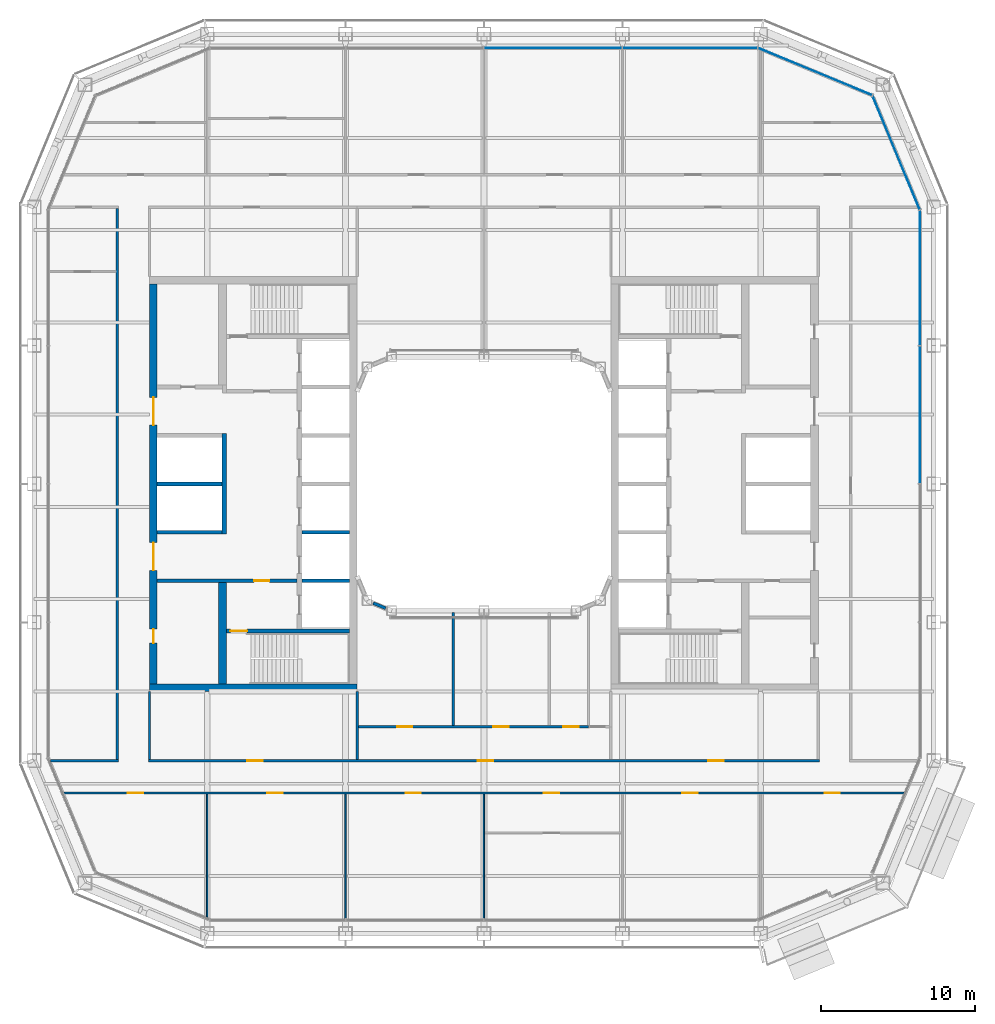
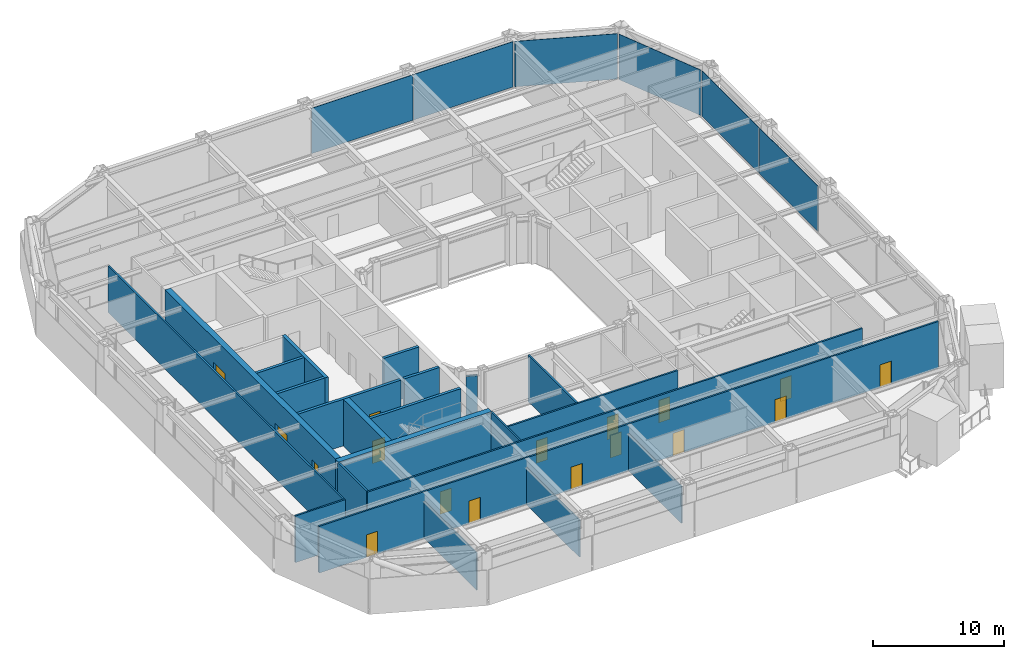
# One storey, part 11 of 23: 22 walls, 17 doors, 6 plates, 17 openings, 4 elements without a shape of their own.
"""IFC4 building model written with IfcOpenShell, lengths in metres."""

from ifc_helpers import new_model, si_unit, direction, frame, frame_2d, origin, origin_2d, place, context, subcontext, project, spatial, rectangle, extrude, material, layer, layer_set, type_object, element, fill, aggregate, save


model = new_model("IFC4")

# Units and contexts
model_context = context("Model", 3, precision=1e-05, world=origin(), true_north=direction((0.0, 1.0)))
body_context = subcontext(model_context, "Body", "Model", "MODEL_VIEW")
ifc_project = project(units=[si_unit("LENGTHUNIT", "METRE"), si_unit("AREAUNIT", "SQUARE_METRE"), si_unit("VOLUMEUNIT", "CUBIC_METRE"), si_unit("PLANEANGLEUNIT", "RADIAN"), si_unit("MASSUNIT", "GRAM", prefix="KILO")], contexts=[model_context])

# Site, building, storey
site_placement = place(None, origin())
site = spatial("IfcSite", under=ifc_project, at=site_placement, CompositionType="ELEMENT")
building_placement = place(site_placement, origin())
building = spatial("IfcBuilding", under=site, at=building_placement, Name="Siwar Civic Tower", CompositionType="ELEMENT")
storey_placement = place(building_placement, frame((0.0, 0.0, 163.199951171875)))
storey = spatial("IfcBuildingStorey", under=building, at=storey_placement, Name="L35", CompositionType="ELEMENT", Elevation=163.199951171875)

# Curtain wall, plates
ifc_material_1 = material(Name="Aluminium and glass", Category="aluminium")
ifc_layer_1 = layer(ifc_material_1, 0.199951171875)
ifc_layer_set_1 = layer_set([ifc_layer_1], Name="Aluminium and glass")
curtain_wall_type_1 = type_object("IfcCurtainWallType", Name="ENV-CW-B", PredefinedType="NOTDEFINED", material=ifc_layer_set_1)
curtain_wall_1_placement = place(storey_placement, origin())
curtain_wall_1 = element("IfcCurtainWall", 1, at=curtain_wall_1_placement, inside=storey, type_object=curtain_wall_type_1, Name="Curtain wall B E", PredefinedType="NOTDEFINED")
ifc_material_2 = material(Name="Glass clear laminated", Category="glass")
ifc_layer_2 = layer(ifc_material_2, 0.033935546875)
ifc_layer_set_2 = layer_set([ifc_layer_2], Name="Glass clear laminated")
plate_type_1 = type_object("IfcPlateType", Name="ENV-PANEL-B", PredefinedType="CURTAIN_PANEL", material=ifc_layer_set_2)
plate_1_placement = place(storey_placement, frame((28.35009765625, 4.5, 0.10986328125), z_axis=(0.0, 0.0, 1.0), x_axis=(0.0, 1.0, 0.0)))
plate_1 = element("IfcPlate", 2, at=plate_1_placement, type_object=plate_type_1, Name="Curtain panel B E 3", PredefinedType="CURTAIN_PANEL", context=body_context, shape_type="SweptSolid", body=[
    extrude(rectangle(XDim=8.93505859375, YDim=0.033935546875, at=origin_2d()), origin(), (0.0, 0.0, 1.0), 4.239990234375),
])
plate_2_placement = place(storey_placement, frame((28.35009765625, 13.369873046875, 0.10986328125), z_axis=(0.0, 0.0, 1.0), x_axis=(0.0, 1.0, 0.0)))
plate_2 = element("IfcPlate", 3, at=plate_2_placement, type_object=plate_type_1, Name="Curtain panel B E 4", PredefinedType="CURTAIN_PANEL", context=body_context, shape_type="SweptSolid", body=[
    extrude(rectangle(XDim=8.6748046875, YDim=0.033935546875, at=origin_2d()), origin(), (0.0, 0.0, 1.0), 4.239990234375),
])
aggregate(curtain_wall_1, [plate_1, plate_2])

curtain_wall_2_placement = place(storey_placement, origin())
curtain_wall_2 = element("IfcCurtainWall", 4, at=curtain_wall_2_placement, inside=storey, type_object=curtain_wall_type_1, Name="Curtain wall B N", PredefinedType="NOTDEFINED")
plate_3_placement = place(storey_placement, frame((13.410400390625, 28.35009765625, 0.10986328125), z_axis=(0.0, 0.0, 1.0), x_axis=(-1.0, 0.0, 0.0)))
plate_3 = element("IfcPlate", 5, at=plate_3_placement, type_object=plate_type_1, Name="Curtain panel B N 1", PredefinedType="CURTAIN_PANEL", context=body_context, shape_type="SweptSolid", body=[
    extrude(rectangle(XDim=8.755859375, YDim=0.033935546875, at=origin_2d()), origin(), (0.0, 0.0, 1.0), 4.239990234375),
])
plate_4_placement = place(storey_placement, frame((4.5, 28.35009765625, 0.10986328125), z_axis=(0.0, 0.0, 1.0), x_axis=(-1.0, 0.0, 0.0)))
plate_4 = element("IfcPlate", 6, at=plate_4_placement, type_object=plate_type_1, Name="Curtain panel B N 2", PredefinedType="CURTAIN_PANEL", context=body_context, shape_type="SweptSolid", body=[
    extrude(rectangle(XDim=8.93505859375, YDim=0.033935546875, at=origin_2d()), origin(), (0.0, 0.0, 1.0), 4.239990234375),
])
aggregate(curtain_wall_2, [plate_3, plate_4])

# Curtain wall, plate
ifc_material_3 = material(Name="Aluminium clad insulated panel", Category="aluminium")
ifc_layer_3 = layer(ifc_material_3, 0.199951171875)
ifc_layer_set_3 = layer_set([ifc_layer_3], Name="Aluminium clad insulated panel")
curtain_wall_type_2 = type_object("IfcCurtainWallType", Name="ENV-CW-BX", PredefinedType="NOTDEFINED", material=ifc_layer_set_3)
curtain_wall_3_placement = place(storey_placement, origin())
curtain_wall_3 = element("IfcCurtainWall", 7, at=curtain_wall_3_placement, inside=storey, type_object=curtain_wall_type_2, Name="Curtain wall B NE1", PredefinedType="NOTDEFINED")
ifc_material_4 = material(Name="Aluminium clad insulated panel", Category="aluminium")
ifc_layer_4 = layer(ifc_material_4, 0.033935546875)
ifc_layer_set_4 = layer_set([ifc_layer_4], Name="Aluminium clad insulated panel")
plate_type_2 = type_object("IfcPlateType", Name="ENV-PANEL-BX", PredefinedType="CURTAIN_PANEL", material=ifc_layer_set_4)
plate_5_placement = place(storey_placement, frame((26.823486328125, 21.506103515625, 0.10986328125), z_axis=(0.0, 0.0, 1.0), x_axis=(-0.382683432365, 0.923879532511, 0.0)))
plate_5 = element("IfcPlate", 8, at=plate_5_placement, type_object=plate_type_2, Name="Curtain panel B NE1 1", PredefinedType="CURTAIN_PANEL", context=body_context, shape_type="SweptSolid", body=[
    extrude(rectangle(XDim=7.912353515625, YDim=0.033935546875, at=origin_2d()), origin(), (0.0, 0.0, 1.0), 4.239990234375),
])
aggregate(curtain_wall_3, [plate_5])

curtain_wall_4_placement = place(storey_placement, origin())
curtain_wall_4 = element("IfcCurtainWall", 9, at=curtain_wall_4_placement, inside=storey, type_object=curtain_wall_type_2, Name="Curtain wall B NE2", PredefinedType="NOTDEFINED")
plate_6_placement = place(storey_placement, frame((21.5810546875, 26.79248046875, 0.10986328125), z_axis=(0.0, 0.0, 1.0), x_axis=(-0.923879532511, 0.382683432365, 0.0)))
plate_6 = element("IfcPlate", 10, at=plate_6_placement, type_object=plate_type_2, Name="Curtain panel B NE2 1", PredefinedType="CURTAIN_PANEL", context=body_context, shape_type="SweptSolid", body=[
    extrude(rectangle(XDim=7.912353515625, YDim=0.033935546875, at=origin_2d()), origin(), (0.0, 0.0, 1.0), 4.239990234375),
])
aggregate(curtain_wall_4, [plate_6])

# Wall, opening, door
ifc_material_5 = material(Name="Concrete C60/75", Category="concrete")
ifc_layer_5 = layer(ifc_material_5, 0.25)
ifc_layer_set_5 = layer_set([ifc_layer_5], Name="Concrete C60/75")
wall_type_1 = type_object("IfcWallType", Name="CORE-WALL-RC250", PredefinedType="SHEAR", material=ifc_layer_set_5)
wall_1_placement = place(storey_placement, frame((-12.14990234375, -6.300048828125, 0.0), z_axis=(0.0, 0.0, 1.0), x_axis=(-1.0, 0.0, 0.0)))
wall_1 = element("IfcWall", 11, at=wall_1_placement, inside=storey, type_object=wall_type_1, Name="Core wall W", PredefinedType="SHEAR", context=body_context, shape_type="SweptSolid", body=[
    extrude(rectangle(XDim=9.10009765625, YDim=0.25, at=frame_2d((4.550048828125, 0.0))), origin(), (0.0, 0.0, 1.0), 4.35009765625),
])
opening_1_placement = place(wall_1_placement, frame((1.800048828125, 0.0, 0.0)))
opening_1 = element("IfcOpeningElement", 12, at=opening_1_placement, cuts=wall_1, Name="Opening L35-CW02", PredefinedType="OPENING", context=body_context, shape_type="SweptSolid", body=[
    extrude(rectangle(XDim=1.0, YDim=2.10009765625, at=frame_2d((0.5, 1.050048828125))), frame((0.0, 0.135009765625, 0.0), z_axis=(0.0, -1.0, 0.0), x_axis=(1.0, 0.0, 0.0)), (0.0, 0.0, 1.0), 0.27001953125),
])
ifc_material_6 = material(Name="Steel door leaf", Category="steel")
door_type_1 = type_object("IfcDoorType", Name="CORE-DOOR-FD30S", OperationType="SINGLE_SWING_LEFT", PredefinedType="DOOR", material=ifc_material_6)
door_1_placement = place(opening_1_placement, origin())
door_1 = element("IfcDoor", 13, at=door_1_placement, inside=storey, type_object=door_type_1, Name="Service lobby door L35-CW02", OperationType="SINGLE_SWING_RIGHT", OverallHeight=2.10009765625, OverallWidth=1.0, PredefinedType="DOOR", context=body_context, shape_type="SweptSolid", body=[
    extrude(rectangle(XDim=1.0, YDim=2.10009765625, at=frame_2d((0.5, 1.050048828125))), frame((0.0, 0.02490234375, 0.0), z_axis=(0.0, -1.0, 0.0), x_axis=(1.0, 0.0, 0.0)), (0.0, 0.0, 1.0), 0.050048828125),
])
fill(opening_1, door_1)

# Walls
for number, where, z_axis, x_axis, name in (
    (14, (-17.050048828125, 0.0, 0.0), (0.0, 0.0, 1.0), (-1.0, 0.0, 0.0), "Core wall W"),
    (15, (-17.050048828125, -3.14990234375, 0.0), (0.0, 0.0, 1.0), (-1.0, 0.0, 0.0), "Core wall W"),
):
    element("IfcWall", number, at=place(storey_placement, frame(where, z_axis=z_axis, x_axis=x_axis)), inside=storey, type_object=wall_type_1, Name=name, PredefinedType="SHEAR", context=body_context, shape_type="SweptSolid", body=[
        extrude(rectangle(XDim=4.199951171875, YDim=0.25, at=frame_2d((2.10009765625, 0.0))), origin(), (0.0, 0.0, 1.0), 4.35009765625),
    ])
for number, where, z_axis, x_axis, name in (
    (16, (-8.75, -3.14990234375, 0.0), (0.0, 0.0, 1.0), (-1.0, 0.0, 0.0), "Core wall W"),
    (17, (-8.75, -6.300048828125, 0.0), (0.0, 0.0, 1.0), (-1.0, 0.0, 0.0), "Core wall W"),
):
    element("IfcWall", number, at=place(storey_placement, frame(where, z_axis=z_axis, x_axis=x_axis)), inside=storey, type_object=wall_type_1, Name=name, PredefinedType="SHEAR", context=body_context, shape_type="SweptSolid", body=[
        extrude(rectangle(XDim=3.10009765625, YDim=0.25, at=frame_2d((1.550048828125, 0.0))), origin(), (0.0, 0.0, 1.0), 4.35009765625),
    ])

# Wall, opening, door
wall_2_placement = place(storey_placement, frame((-8.75, -9.574951171875, 0.0), z_axis=(0.0, 0.0, 1.0), x_axis=(-1.0, 0.0, 0.0)))
wall_2 = element("IfcWall", 18, at=wall_2_placement, inside=storey, type_object=wall_type_1, Name="Core wall W", PredefinedType="SHEAR", context=body_context, shape_type="SweptSolid", body=[
    extrude(rectangle(XDim=8.0, YDim=0.25, at=frame_2d((4.0, 0.0))), origin(), (0.0, 0.0, 1.0), 4.35009765625),
])
opening_2_placement = place(wall_2_placement, frame((6.64990234375, 0.0, 0.0)))
opening_2 = element("IfcOpeningElement", 19, at=opening_2_placement, cuts=wall_2, Name="Opening L35-CW04", PredefinedType="OPENING", context=body_context, shape_type="SweptSolid", body=[
    extrude(rectangle(XDim=1.10009765625, YDim=2.10009765625, at=frame_2d((0.550048828125, 1.050048828125))), frame((0.0, 0.135009765625, 0.0), z_axis=(0.0, -1.0, 0.0), x_axis=(1.0, 0.0, 0.0)), (0.0, 0.0, 1.0), 0.27001953125),
])
ifc_material_7 = material(Name="Steel door leaf", Category="steel")
door_type_2 = type_object("IfcDoorType", Name="CORE-DOOR-FD60S", OperationType="SINGLE_SWING_LEFT", PredefinedType="DOOR", material=ifc_material_7)
door_2_placement = place(opening_2_placement, origin())
door_2 = element("IfcDoor", 20, at=door_2_placement, inside=storey, type_object=door_type_2, Name="Stair door L35-CW04", OperationType="SINGLE_SWING_LEFT", OverallHeight=2.10009765625, OverallWidth=1.10009765625, PredefinedType="DOOR", context=body_context, shape_type="SweptSolid", body=[
    extrude(rectangle(XDim=1.10009765625, YDim=2.10009765625, at=frame_2d((0.550048828125, 1.050048828125))), frame((0.0, 0.02490234375, 0.0), z_axis=(0.0, -1.0, 0.0), x_axis=(1.0, 0.0, 0.0)), (0.0, 0.0, 1.0), 0.050048828125),
])
fill(opening_2, door_2)

# Wall
ifc_material_8 = material(Name="Concrete C60/75", Category="concrete")
ifc_layer_6 = layer(ifc_material_8, 0.300048828125)
ifc_layer_set_6 = layer_set([ifc_layer_6], Name="Concrete C60/75")
wall_type_2 = type_object("IfcWallType", Name="CORE-WALL-RC300", PredefinedType="SHEAR", material=ifc_layer_set_6)
wall_3_placement = place(storey_placement, frame((-16.89990234375, -3.27490234375, 0.0), z_axis=(0.0, 0.0, 1.0), x_axis=(0.0, 1.0, 0.0)))
element("IfcWall", 21, at=wall_3_placement, inside=storey, type_object=wall_type_2, Name="Core wall W", PredefinedType="SHEAR", context=body_context, shape_type="SweptSolid", body=[
    extrude(rectangle(XDim=6.5498046875, YDim=0.300048828125, at=frame_2d((3.27490234375, 0.0))), origin(), (0.0, 0.0, 1.0), 4.35009765625),
])

# Wall, openings, doors
ifc_material_9 = material(Name="Concrete C60/75", Category="concrete")
ifc_layer_7 = layer(ifc_material_9, 0.5)
ifc_layer_set_7 = layer_set([ifc_layer_7], Name="Concrete C60/75")
wall_type_3 = type_object("IfcWallType", Name="CORE-WALL-RC500", PredefinedType="SHEAR", material=ifc_layer_set_7)
wall_4_placement = place(storey_placement, frame((-21.5, -13.0, 0.0), z_axis=(0.0, 0.0, 1.0), x_axis=(0.0, 1.0, 0.0)))
wall_4 = element("IfcWall", 22, at=wall_4_placement, inside=storey, type_object=wall_type_3, Name="Core wall W", PredefinedType="SHEAR", context=body_context, shape_type="SweptSolid", body=[
    extrude(rectangle(XDim=26.0, YDim=0.5, at=frame_2d((13.0, 0.0))), origin(), (0.0, 0.0, 1.0), 4.35009765625),
])
opening_3_placement = place(wall_4_placement, frame((16.824951171875, 0.0, 0.0)))
opening_3 = element("IfcOpeningElement", 23, at=opening_3_placement, cuts=wall_4, Name="Opening L35-CW05", PredefinedType="OPENING", context=body_context, shape_type="SweptSolid", body=[
    extrude(rectangle(XDim=1.800048828125, YDim=2.10009765625, at=frame_2d((0.89990234375, 1.050048828125))), frame((0.0, 0.260009765625, 0.0), z_axis=(0.0, -1.0, 0.0), x_axis=(1.0, 0.0, 0.0)), (0.0, 0.0, 1.0), 0.52001953125),
])
opening_4_placement = place(wall_4_placement, frame((7.375, 0.0, 0.0)))
opening_4 = element("IfcOpeningElement", 24, at=opening_4_placement, cuts=wall_4, Name="Opening L35-CW06", PredefinedType="OPENING", context=body_context, shape_type="SweptSolid", body=[
    extrude(rectangle(XDim=1.800048828125, YDim=2.10009765625, at=frame_2d((0.89990234375, 1.050048828125))), frame((0.0, 0.260009765625, 0.0), z_axis=(0.0, -1.0, 0.0), x_axis=(1.0, 0.0, 0.0)), (0.0, 0.0, 1.0), 0.52001953125),
])
opening_5_placement = place(wall_4_placement, frame((2.64990234375, 0.0, 0.0)))
opening_5 = element("IfcOpeningElement", 25, at=opening_5_placement, cuts=wall_4, Name="Opening L35-CW14", PredefinedType="OPENING", context=body_context, shape_type="SweptSolid", body=[
    extrude(rectangle(XDim=0.89990234375, YDim=2.10009765625, at=frame_2d((0.449951171875, 1.050048828125))), frame((0.0, 0.260009765625, 0.0), z_axis=(0.0, -1.0, 0.0), x_axis=(1.0, 0.0, 0.0)), (0.0, 0.0, 1.0), 0.52001953125),
])
ifc_material_10 = material(Name="Steel door leaf", Category="steel")
door_type_3 = type_object("IfcDoorType", Name="CORE-DOOR-PORT", OperationType="DOUBLE_DOOR_DOUBLE_SWING", PredefinedType="DOOR", material=ifc_material_10)
door_3_placement = place(opening_3_placement, origin())
door_3 = element("IfcDoor", 26, at=door_3_placement, inside=storey, type_object=door_type_3, Name="Core entrance door L35-CW05", OperationType="DOUBLE_DOOR_DOUBLE_SWING", OverallHeight=2.10009765625, OverallWidth=1.800048828125, PredefinedType="DOOR", context=body_context, shape_type="SweptSolid", body=[
    extrude(rectangle(XDim=1.800048828125, YDim=2.10009765625, at=frame_2d((0.89990234375, 1.050048828125))), frame((0.0, 0.02490234375, 0.0), z_axis=(0.0, -1.0, 0.0), x_axis=(1.0, 0.0, 0.0)), (0.0, 0.0, 1.0), 0.050048828125),
])
fill(opening_3, door_3)
door_4_placement = place(opening_4_placement, origin())
door_4 = element("IfcDoor", 27, at=door_4_placement, inside=storey, type_object=door_type_3, Name="Core entrance door L35-CW06", OperationType="DOUBLE_DOOR_DOUBLE_SWING", OverallHeight=2.10009765625, OverallWidth=1.800048828125, PredefinedType="DOOR", context=body_context, shape_type="SweptSolid", body=[
    extrude(rectangle(XDim=1.800048828125, YDim=2.10009765625, at=frame_2d((0.89990234375, 1.050048828125))), frame((0.0, 0.02490234375, 0.0), z_axis=(0.0, -1.0, 0.0), x_axis=(1.0, 0.0, 0.0)), (0.0, 0.0, 1.0), 0.050048828125),
])
fill(opening_4, door_4)
ifc_material_11 = material(Name="Steel door leaf", Category="steel")
door_type_4 = type_object("IfcDoorType", Name="CORE-DOOR-ROOM", OperationType="SINGLE_SWING_LEFT", PredefinedType="DOOR", material=ifc_material_11)
door_5_placement = place(opening_5_placement, origin())
door_5 = element("IfcDoor", 28, at=door_5_placement, inside=storey, type_object=door_type_4, Name="Core room door L35-CW14", OperationType="SINGLE_SWING_LEFT", OverallHeight=2.10009765625, OverallWidth=0.89990234375, PredefinedType="DOOR", context=body_context, shape_type="SweptSolid", body=[
    extrude(rectangle(XDim=0.89990234375, YDim=2.10009765625, at=frame_2d((0.449951171875, 1.050048828125))), frame((0.0, 0.02490234375, 0.0), z_axis=(0.0, -1.0, 0.0), x_axis=(1.0, 0.0, 0.0)), (0.0, 0.0, 1.0), 0.050048828125),
])
fill(opening_5, door_5)

# Walls
wall_5_placement = place(storey_placement, frame((-17.0, -13.0, 0.0), z_axis=(0.0, 0.0, 1.0), x_axis=(0.0, 1.0, 0.0)))
element("IfcWall", 29, at=wall_5_placement, inside=storey, type_object=wall_type_3, Name="Core wall W", PredefinedType="SHEAR", context=body_context, shape_type="SweptSolid", body=[
    extrude(rectangle(XDim=6.574951171875, YDim=0.5, at=frame_2d((3.28759765625, 0.0))), origin(), (0.0, 0.0, 1.0), 4.35009765625),
])
wall_6_placement = place(storey_placement, frame((-8.25, -13.25, 0.0), z_axis=(0.0, 0.0, 1.0), x_axis=(-1.0, 0.0, 0.0)))
element("IfcWall", 30, at=wall_6_placement, inside=storey, type_object=wall_type_3, Name="Core wall W", PredefinedType="SHEAR", context=body_context, shape_type="SweptSolid", body=[
    extrude(rectangle(XDim=13.5, YDim=0.5, at=frame_2d((6.75, 0.0))), origin(), (0.0, 0.0, 1.0), 4.35009765625),
])

# Wall, openings, doors
ifc_material_12 = material(Name="Gypsum board on steel studs", Category="steel")
ifc_layer_8 = layer(ifc_material_12, 0.14990234375)
ifc_layer_set_8 = layer_set([ifc_layer_8], Name="Gypsum board on steel studs")
wall_type_4 = type_object("IfcWallType", Name="CORRIDOR PARTITION 150 EI 30", PredefinedType="PARTITIONING", material=ifc_layer_set_8)
wall_7_placement = place(storey_placement, frame((-27.30810546875, -20.10009765625, 0.0), z_axis=(0.0, 0.0, 1.0), x_axis=(1.0, 0.0, 0.0)))
wall_7 = element("IfcWall", 31, at=wall_7_placement, inside=storey, type_object=wall_type_4, Name="L35/wall/P02", PredefinedType="PARTITIONING", context=body_context, shape_type="SweptSolid", body=[
    extrude(rectangle(XDim=54.6162109375, YDim=0.14990234375, at=frame_2d((27.30810546875, 0.0))), origin(), (0.0, 0.0, 1.0), 4.35009765625),
])
opening_6_placement = place(wall_7_placement, frame((13.2080078125, 0.0, 0.0)))
opening_6 = element("IfcOpeningElement", 32, at=opening_6_placement, cuts=wall_7, Name="Opening D1", PredefinedType="OPENING", context=body_context, shape_type="SweptSolid", body=[
    extrude(rectangle(XDim=1.0, YDim=2.10009765625, at=frame_2d((0.5, 1.050048828125))), frame((0.0, 0.0849609375, 0.0), z_axis=(0.0, -1.0, 0.0), x_axis=(1.0, 0.0, 0.0)), (0.0, 0.0, 1.0), 0.169921875),
])
opening_7_placement = place(wall_7_placement, frame((22.2080078125, 0.0, 0.0)))
opening_7 = element("IfcOpeningElement", 33, at=opening_7_placement, cuts=wall_7, Name="Opening D1", PredefinedType="OPENING", context=body_context, shape_type="SweptSolid", body=[
    extrude(rectangle(XDim=1.0, YDim=2.10009765625, at=frame_2d((0.5, 1.050048828125))), frame((0.0, 0.0849609375, 0.0), z_axis=(0.0, -1.0, 0.0), x_axis=(1.0, 0.0, 0.0)), (0.0, 0.0, 1.0), 0.169921875),
])
opening_8_placement = place(wall_7_placement, frame((31.2080078125, 0.0, 0.0)))
opening_8 = element("IfcOpeningElement", 34, at=opening_8_placement, cuts=wall_7, Name="Opening D1", PredefinedType="OPENING", context=body_context, shape_type="SweptSolid", body=[
    extrude(rectangle(XDim=1.0, YDim=2.10009765625, at=frame_2d((0.5, 1.050048828125))), frame((0.0, 0.0849609375, 0.0), z_axis=(0.0, -1.0, 0.0), x_axis=(1.0, 0.0, 0.0)), (0.0, 0.0, 1.0), 0.169921875),
])
opening_9_placement = place(wall_7_placement, frame((40.2080078125, 0.0, 0.0)))
opening_9 = element("IfcOpeningElement", 35, at=opening_9_placement, cuts=wall_7, Name="Opening D1", PredefinedType="OPENING", context=body_context, shape_type="SweptSolid", body=[
    extrude(rectangle(XDim=1.0, YDim=2.10009765625, at=frame_2d((0.5, 1.050048828125))), frame((0.0, 0.0849609375, 0.0), z_axis=(0.0, -1.0, 0.0), x_axis=(1.0, 0.0, 0.0)), (0.0, 0.0, 1.0), 0.169921875),
])
opening_10_placement = place(wall_7_placement, frame((4.14990234375, 0.0, 0.0)))
opening_10 = element("IfcOpeningElement", 36, at=opening_10_placement, cuts=wall_7, Name="Opening D1", PredefinedType="OPENING", context=body_context, shape_type="SweptSolid", body=[
    extrude(rectangle(XDim=1.0, YDim=2.10009765625, at=frame_2d((0.5, 1.050048828125))), frame((0.0, 0.0849609375, 0.0), z_axis=(0.0, -1.0, 0.0), x_axis=(1.0, 0.0, 0.0)), (0.0, 0.0, 1.0), 0.169921875),
])
opening_11_placement = place(wall_7_placement, frame((49.4580078125, 0.0, 0.0)))
opening_11 = element("IfcOpeningElement", 37, at=opening_11_placement, cuts=wall_7, Name="Opening D1", PredefinedType="OPENING", context=body_context, shape_type="SweptSolid", body=[
    extrude(rectangle(XDim=1.0, YDim=2.10009765625, at=frame_2d((0.5, 1.050048828125))), frame((0.0, 0.0849609375, 0.0), z_axis=(0.0, -1.0, 0.0), x_axis=(1.0, 0.0, 0.0)), (0.0, 0.0, 1.0), 0.169921875),
])
ifc_material_13 = material(Name="Timber, painted", Category="wood")
door_type_5 = type_object("IfcDoorType", Name="DOOR 1000 X 2100 FD30", OperationType="SINGLE_SWING_LEFT", PredefinedType="DOOR", material=ifc_material_13)
door_6_placement = place(opening_6_placement, origin())
door_6 = element("IfcDoor", 38, at=door_6_placement, inside=storey, type_object=door_type_5, Name="L35-D06", OperationType="SINGLE_SWING_RIGHT", OverallHeight=2.10009765625, OverallWidth=1.0, PredefinedType="DOOR", context=body_context, shape_type="SweptSolid", body=[
    extrude(rectangle(XDim=1.0, YDim=2.10009765625, at=frame_2d((0.5, 1.050048828125))), frame((0.0, 0.02490234375, 0.0), z_axis=(0.0, -1.0, 0.0), x_axis=(1.0, 0.0, 0.0)), (0.0, 0.0, 1.0), 0.050048828125),
])
fill(opening_6, door_6)
door_7_placement = place(opening_7_placement, origin())
door_7 = element("IfcDoor", 39, at=door_7_placement, inside=storey, type_object=door_type_5, Name="L35-D07", OperationType="SINGLE_SWING_LEFT", OverallHeight=2.10009765625, OverallWidth=1.0, PredefinedType="DOOR", context=body_context, shape_type="SweptSolid", body=[
    extrude(rectangle(XDim=1.0, YDim=2.10009765625, at=frame_2d((0.5, 1.050048828125))), frame((0.0, 0.02490234375, 0.0), z_axis=(0.0, -1.0, 0.0), x_axis=(1.0, 0.0, 0.0)), (0.0, 0.0, 1.0), 0.050048828125),
])
fill(opening_7, door_7)
door_8_placement = place(opening_8_placement, origin())
door_8 = element("IfcDoor", 40, at=door_8_placement, inside=storey, type_object=door_type_5, Name="L35-D08", OperationType="SINGLE_SWING_RIGHT", OverallHeight=2.10009765625, OverallWidth=1.0, PredefinedType="DOOR", context=body_context, shape_type="SweptSolid", body=[
    extrude(rectangle(XDim=1.0, YDim=2.10009765625, at=frame_2d((0.5, 1.050048828125))), frame((0.0, 0.02490234375, 0.0), z_axis=(0.0, -1.0, 0.0), x_axis=(1.0, 0.0, 0.0)), (0.0, 0.0, 1.0), 0.050048828125),
])
fill(opening_8, door_8)
door_9_placement = place(opening_9_placement, origin())
door_9 = element("IfcDoor", 41, at=door_9_placement, inside=storey, type_object=door_type_5, Name="L35-D10", OperationType="SINGLE_SWING_RIGHT", OverallHeight=2.10009765625, OverallWidth=1.0, PredefinedType="DOOR", context=body_context, shape_type="SweptSolid", body=[
    extrude(rectangle(XDim=1.0, YDim=2.10009765625, at=frame_2d((0.5, 1.050048828125))), frame((0.0, 0.02490234375, 0.0), z_axis=(0.0, -1.0, 0.0), x_axis=(1.0, 0.0, 0.0)), (0.0, 0.0, 1.0), 0.050048828125),
])
fill(opening_9, door_9)
door_10_placement = place(opening_10_placement, origin())
door_10 = element("IfcDoor", 42, at=door_10_placement, inside=storey, type_object=door_type_5, Name="L35-D15", OperationType="SINGLE_SWING_LEFT", OverallHeight=2.10009765625, OverallWidth=1.0, PredefinedType="DOOR", context=body_context, shape_type="SweptSolid", body=[
    extrude(rectangle(XDim=1.0, YDim=2.10009765625, at=frame_2d((0.5, 1.050048828125))), frame((0.0, 0.02490234375, 0.0), z_axis=(0.0, -1.0, 0.0), x_axis=(1.0, 0.0, 0.0)), (0.0, 0.0, 1.0), 0.050048828125),
])
fill(opening_10, door_10)
door_11_placement = place(opening_11_placement, origin())
door_11 = element("IfcDoor", 43, at=door_11_placement, inside=storey, type_object=door_type_5, Name="L35-D16", OperationType="SINGLE_SWING_RIGHT", OverallHeight=2.10009765625, OverallWidth=1.0, PredefinedType="DOOR", context=body_context, shape_type="SweptSolid", body=[
    extrude(rectangle(XDim=1.0, YDim=2.10009765625, at=frame_2d((0.5, 1.050048828125))), frame((0.0, 0.02490234375, 0.0), z_axis=(0.0, -1.0, 0.0), x_axis=(1.0, 0.0, 0.0)), (0.0, 0.0, 1.0), 0.050048828125),
])
fill(opening_11, door_11)

# Wall
wall_8_placement = place(storey_placement, frame((-28.177978515625, -18.0, 0.0), z_axis=(0.0, 0.0, 1.0), x_axis=(1.0, 0.0, 0.0)))
element("IfcWall", 44, at=wall_8_placement, inside=storey, type_object=wall_type_4, Name="L35/wall/P03", PredefinedType="PARTITIONING", context=body_context, shape_type="SweptSolid", body=[
    extrude(rectangle(XDim=4.403076171875, YDim=0.14990234375, at=frame_2d((2.20166015625, 0.0))), origin(), (0.0, 0.0, 1.0), 4.35009765625),
])

# Wall, openings, doors
wall_9_placement = place(storey_placement, frame((-21.824951171875, -18.0, 0.0), z_axis=(0.0, 0.0, 1.0), x_axis=(1.0, 0.0, 0.0)))
wall_9 = element("IfcWall", 45, at=wall_9_placement, inside=storey, type_object=wall_type_4, Name="L35/wall/P04", PredefinedType="PARTITIONING", context=body_context, shape_type="SweptSolid", body=[
    extrude(rectangle(XDim=43.64990234375, YDim=0.14990234375, at=frame_2d((21.824951171875, 0.0))), origin(), (0.0, 0.0, 1.0), 4.35009765625),
])
opening_12_placement = place(wall_9_placement, frame((21.425048828125, 0.0, 0.0)))
opening_12 = element("IfcOpeningElement", 46, at=opening_12_placement, cuts=wall_9, Name="Opening D1", PredefinedType="OPENING", context=body_context, shape_type="SweptSolid", body=[
    extrude(rectangle(XDim=1.0, YDim=2.10009765625, at=frame_2d((0.5, 1.050048828125))), frame((0.0, 0.0849609375, 0.0), z_axis=(0.0, -1.0, 0.0), x_axis=(1.0, 0.0, 0.0)), (0.0, 0.0, 1.0), 0.169921875),
])
opening_13_placement = place(wall_9_placement, frame((6.425048828125, 0.0, 0.0)))
opening_13 = element("IfcOpeningElement", 47, at=opening_13_placement, cuts=wall_9, Name="Opening D1", PredefinedType="OPENING", context=body_context, shape_type="SweptSolid", body=[
    extrude(rectangle(XDim=1.0, YDim=2.10009765625, at=frame_2d((0.5, 1.050048828125))), frame((0.0, 0.0849609375, 0.0), z_axis=(0.0, -1.0, 0.0), x_axis=(1.0, 0.0, 0.0)), (0.0, 0.0, 1.0), 0.169921875),
])
opening_14_placement = place(wall_9_placement, frame((36.425048828125, 0.0, 0.0)))
opening_14 = element("IfcOpeningElement", 48, at=opening_14_placement, cuts=wall_9, Name="Opening D1", PredefinedType="OPENING", context=body_context, shape_type="SweptSolid", body=[
    extrude(rectangle(XDim=1.0, YDim=2.10009765625, at=frame_2d((0.5, 1.050048828125))), frame((0.0, 0.0849609375, 0.0), z_axis=(0.0, -1.0, 0.0), x_axis=(1.0, 0.0, 0.0)), (0.0, 0.0, 1.0), 0.169921875),
])
door_12_placement = place(opening_12_placement, origin())
door_12 = element("IfcDoor", 49, at=door_12_placement, inside=storey, type_object=door_type_5, Name="L35-D19", OperationType="SINGLE_SWING_LEFT", OverallHeight=2.10009765625, OverallWidth=1.0, PredefinedType="DOOR", context=body_context, shape_type="SweptSolid", body=[
    extrude(rectangle(XDim=1.0, YDim=2.10009765625, at=frame_2d((0.5, 1.050048828125))), frame((0.0, 0.02490234375, 0.0), z_axis=(0.0, -1.0, 0.0), x_axis=(1.0, 0.0, 0.0)), (0.0, 0.0, 1.0), 0.050048828125),
])
fill(opening_12, door_12)
door_13_placement = place(opening_13_placement, origin())
door_13 = element("IfcDoor", 50, at=door_13_placement, inside=storey, type_object=door_type_5, Name="L35-D26", OperationType="SINGLE_SWING_RIGHT", OverallHeight=2.10009765625, OverallWidth=1.0, PredefinedType="DOOR", context=body_context, shape_type="SweptSolid", body=[
    extrude(rectangle(XDim=1.0, YDim=2.10009765625, at=frame_2d((0.5, 1.050048828125))), frame((0.0, 0.02490234375, 0.0), z_axis=(0.0, -1.0, 0.0), x_axis=(1.0, 0.0, 0.0)), (0.0, 0.0, 1.0), 0.050048828125),
])
fill(opening_13, door_13)
door_14_placement = place(opening_14_placement, origin())
door_14 = element("IfcDoor", 51, at=door_14_placement, inside=storey, type_object=door_type_5, Name="L35-D27", OperationType="SINGLE_SWING_LEFT", OverallHeight=2.10009765625, OverallWidth=1.0, PredefinedType="DOOR", context=body_context, shape_type="SweptSolid", body=[
    extrude(rectangle(XDim=1.0, YDim=2.10009765625, at=frame_2d((0.5, 1.050048828125))), frame((0.0, 0.02490234375, 0.0), z_axis=(0.0, -1.0, 0.0), x_axis=(1.0, 0.0, 0.0)), (0.0, 0.0, 1.0), 0.050048828125),
])
fill(opening_14, door_14)

wall_10_placement = place(storey_placement, frame((-8.175048828125, -15.800048828125, 0.0), z_axis=(0.0, 0.0, 1.0), x_axis=(1.0, 0.0, 0.0)))
wall_10 = element("IfcWall", 52, at=wall_10_placement, inside=storey, type_object=wall_type_4, Name="L35/wall/P06", PredefinedType="PARTITIONING", context=body_context, shape_type="SweptSolid", body=[
    extrude(rectangle(XDim=14.97509765625, YDim=0.14990234375, at=frame_2d((7.487548828125, 0.0))), origin(), (0.0, 0.0, 1.0), 4.35009765625),
])
opening_15_placement = place(wall_10_placement, frame((2.52490234375, 0.0, 0.0)))
opening_15 = element("IfcOpeningElement", 53, at=opening_15_placement, cuts=wall_10, Name="Opening D3", PredefinedType="OPENING", context=body_context, shape_type="SweptSolid", body=[
    extrude(rectangle(XDim=1.0, YDim=2.10009765625, at=frame_2d((0.5, 1.050048828125))), frame((0.0, 0.0849609375, 0.0), z_axis=(0.0, -1.0, 0.0), x_axis=(1.0, 0.0, 0.0)), (0.0, 0.0, 1.0), 0.169921875),
])
opening_16_placement = place(wall_10_placement, frame((8.77490234375, 0.0, 0.0)))
opening_16 = element("IfcOpeningElement", 54, at=opening_16_placement, cuts=wall_10, Name="Opening D3", PredefinedType="OPENING", context=body_context, shape_type="SweptSolid", body=[
    extrude(rectangle(XDim=1.0, YDim=2.10009765625, at=frame_2d((0.5, 1.050048828125))), frame((0.0, 0.0849609375, 0.0), z_axis=(0.0, -1.0, 0.0), x_axis=(1.0, 0.0, 0.0)), (0.0, 0.0, 1.0), 0.169921875),
])
opening_17_placement = place(wall_10_placement, frame((13.324951171875, 0.0, 0.0)))
opening_17 = element("IfcOpeningElement", 55, at=opening_17_placement, cuts=wall_10, Name="Opening D3", PredefinedType="OPENING", context=body_context, shape_type="SweptSolid", body=[
    extrude(rectangle(XDim=1.0, YDim=2.10009765625, at=frame_2d((0.5, 1.050048828125))), frame((0.0, 0.0849609375, 0.0), z_axis=(0.0, -1.0, 0.0), x_axis=(1.0, 0.0, 0.0)), (0.0, 0.0, 1.0), 0.169921875),
])
ifc_material_14 = material(Name="Timber, painted", Category="wood")
door_type_6 = type_object("IfcDoorType", Name="DOOR 1000 X 2100 WC", OperationType="SINGLE_SWING_LEFT", PredefinedType="DOOR", material=ifc_material_14)
door_15_placement = place(opening_15_placement, origin())
door_15 = element("IfcDoor", 56, at=door_15_placement, inside=storey, type_object=door_type_6, Name="L35-D20", OperationType="SINGLE_SWING_RIGHT", OverallHeight=2.10009765625, OverallWidth=1.0, PredefinedType="DOOR", context=body_context, shape_type="SweptSolid", body=[
    extrude(rectangle(XDim=1.0, YDim=2.10009765625, at=frame_2d((0.5, 1.050048828125))), frame((0.0, 0.02490234375, 0.0), z_axis=(0.0, -1.0, 0.0), x_axis=(1.0, 0.0, 0.0)), (0.0, 0.0, 1.0), 0.050048828125),
])
fill(opening_15, door_15)
door_16_placement = place(opening_16_placement, origin())
door_16 = element("IfcDoor", 57, at=door_16_placement, inside=storey, type_object=door_type_6, Name="L35-D21", OperationType="SINGLE_SWING_LEFT", OverallHeight=2.10009765625, OverallWidth=1.0, PredefinedType="DOOR", context=body_context, shape_type="SweptSolid", body=[
    extrude(rectangle(XDim=1.0, YDim=2.10009765625, at=frame_2d((0.5, 1.050048828125))), frame((0.0, 0.02490234375, 0.0), z_axis=(0.0, -1.0, 0.0), x_axis=(1.0, 0.0, 0.0)), (0.0, 0.0, 1.0), 0.050048828125),
])
fill(opening_16, door_16)
door_17_placement = place(opening_17_placement, origin())
door_17 = element("IfcDoor", 58, at=door_17_placement, inside=storey, type_object=door_type_6, Name="L35-D22", OperationType="SINGLE_SWING_RIGHT", OverallHeight=2.10009765625, OverallWidth=1.0, PredefinedType="DOOR", context=body_context, shape_type="SweptSolid", body=[
    extrude(rectangle(XDim=1.0, YDim=2.10009765625, at=frame_2d((0.5, 1.050048828125))), frame((0.0, 0.02490234375, 0.0), z_axis=(0.0, -1.0, 0.0), x_axis=(1.0, 0.0, 0.0)), (0.0, 0.0, 1.0), 0.050048828125),
])
fill(opening_17, door_17)

# Walls
wall_11_placement = place(storey_placement, frame((-23.85009765625, -17.925048828125, 0.0), z_axis=(0.0, 0.0, 1.0), x_axis=(0.0, 1.0, 0.0)))
element("IfcWall", 59, at=wall_11_placement, inside=storey, type_object=wall_type_4, Name="L35/wall/P18", PredefinedType="PARTITIONING", context=body_context, shape_type="SweptSolid", body=[
    extrude(rectangle(XDim=35.85009765625, YDim=0.14990234375, at=frame_2d((17.925048828125, 0.0))), origin(), (0.0, 0.0, 1.0), 4.35009765625),
])
for number, where, z_axis, x_axis, name in (
    (60, (-21.75, -17.925048828125, 0.0), (0.0, 0.0, 1.0), (0.0, 1.0, 0.0), "L35/wall/P19"),
    (61, (-8.25, -17.925048828125, 0.0), (0.0, 0.0, 1.0), (0.0, 1.0, 0.0), "L35/wall/P25"),
):
    element("IfcWall", number, at=place(storey_placement, frame(where, z_axis=z_axis, x_axis=x_axis)), inside=storey, type_object=wall_type_4, Name=name, PredefinedType="PARTITIONING", context=body_context, shape_type="SweptSolid", body=[
        extrude(rectangle(XDim=4.425048828125, YDim=0.14990234375, at=frame_2d((2.21240234375, 0.0))), origin(), (0.0, 0.0, 1.0), 4.35009765625),
    ])
wall_12_placement = place(storey_placement, frame((-2.0, -15.72509765625, 0.0), z_axis=(0.0, 0.0, 1.0), x_axis=(0.0, 1.0, 0.0)))
element("IfcWall", 62, at=wall_12_placement, inside=storey, type_object=wall_type_4, Name="L35/wall/P27", PredefinedType="PARTITIONING", context=body_context, shape_type="SweptSolid", body=[
    extrude(rectangle(XDim=7.35498046875, YDim=0.14990234375, at=frame_2d((3.677490234375, 0.0))), origin(), (0.0, 0.0, 1.0), 4.35009765625),
])
ifc_material_15 = material(Name="Aluminium clad insulated panel", Category="aluminium")
ifc_layer_9 = layer(ifc_material_15, 0.199951171875)
ifc_layer_set_9 = layer_set([ifc_layer_9], Name="Aluminium clad insulated panel")
wall_type_5 = type_object("IfcWallType", Name="ENV-WALL-WELL", PredefinedType="STANDARD", material=ifc_layer_set_9)
wall_13_placement = place(storey_placement, frame((-7.19873046875, -7.75341796875, 0.0), z_axis=(0.0, 0.0, 1.0), x_axis=(0.923894108428, -0.382648241093, 0.0)))
element("IfcWall", 63, at=wall_13_placement, inside=storey, type_object=wall_type_5, Name="Light well corner wall SW2", PredefinedType="STANDARD", context=body_context, shape_type="SweptSolid", body=[
    extrude(rectangle(XDim=0.872802734375, YDim=0.199951171875, at=frame_2d((0.4365234375, 0.0))), origin(), (0.0, 0.0, 1.0), 3.825927734375),
])
ifc_material_16 = material(Name="Gypsum board on steel studs", Category="steel")
ifc_layer_10 = layer(ifc_material_16, 0.10009765625)
ifc_layer_set_10 = layer_set([ifc_layer_10], Name="Gypsum board on steel studs")
wall_type_6 = type_object("IfcWallType", Name="PARTITION 100 GYPSUM", PredefinedType="PARTITIONING", material=ifc_layer_set_10)
wall_14_placement = place(storey_placement, frame((-18.0, -28.177978515625, 0.0), z_axis=(0.0, 0.0, 1.0), x_axis=(0.0, 1.0, 0.0)))
element("IfcWall", 64, at=wall_14_placement, inside=storey, type_object=wall_type_6, Name="L35/wall/P21", PredefinedType="PARTITIONING", context=body_context, shape_type="SweptSolid", body=[
    extrude(rectangle(XDim=8.0029296875, YDim=0.10009765625, at=frame_2d((4.00146484375, 0.0))), origin(), (0.0, 0.0, 1.0), 3.449951171875),
])
for number, where, z_axis, x_axis, name in (
    (65, (-9.0, -28.260009765625, 0.0), (0.0, 0.0, 1.0), (0.0, 1.0, 0.0), "L35/wall/P23"),
    (66, (0.0, -28.260009765625, 0.0), (0.0, 0.0, 1.0), (0.0, 1.0, 0.0), "L35/wall/P28"),
):
    element("IfcWall", number, at=place(storey_placement, frame(where, z_axis=z_axis, x_axis=x_axis)), inside=storey, type_object=wall_type_6, Name=name, PredefinedType="PARTITIONING", context=body_context, shape_type="SweptSolid", body=[
        extrude(rectangle(XDim=8.0849609375, YDim=0.10009765625, at=frame_2d((4.04248046875, 0.0))), origin(), (0.0, 0.0, 1.0), 3.449951171875),
    ])

save(model, "model.ifc")
